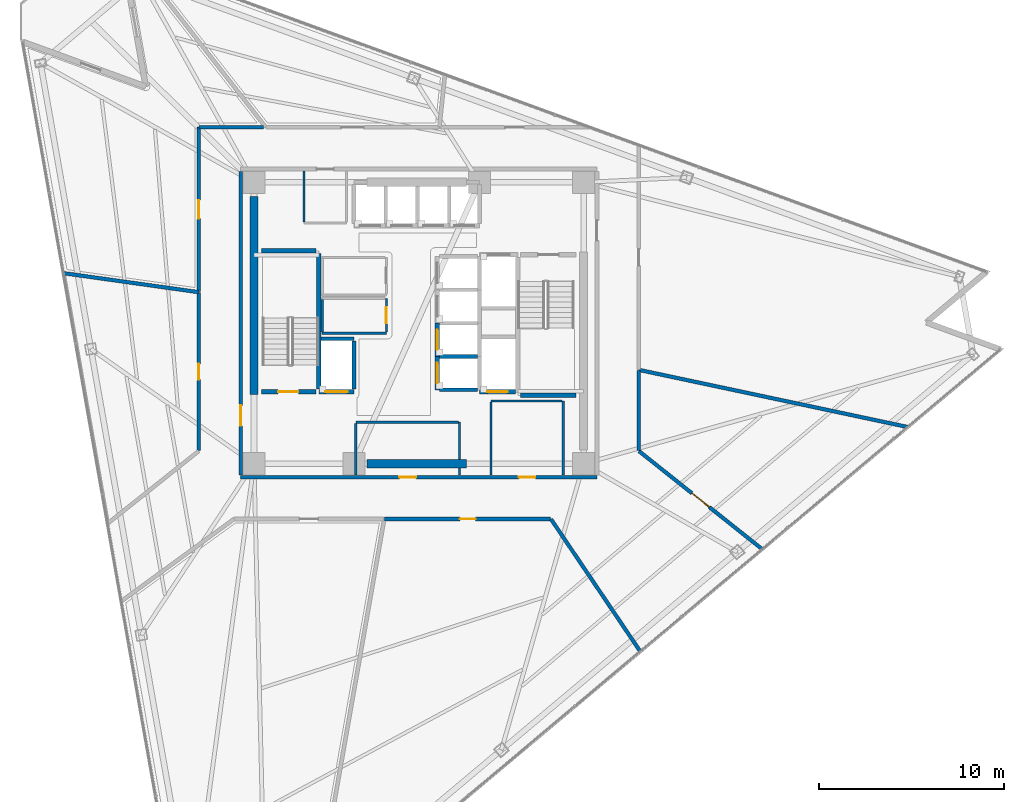
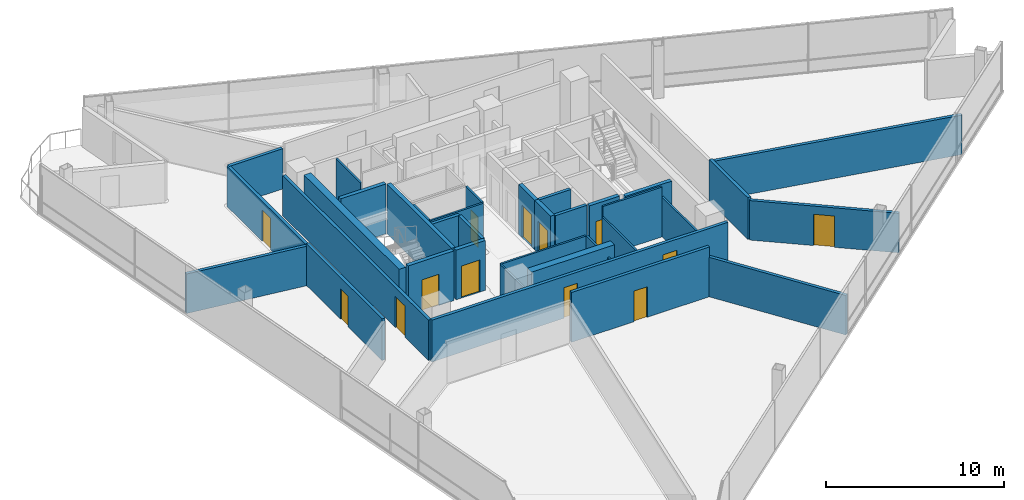
# One storey, part 10 of 16: 36 walls, 13 doors, 13 openings.
"""IFC4 building model written with IfcOpenShell, lengths in metres."""

from ifc_helpers import new_model, si_unit, direction, frame, frame_2d, origin, place, context, subcontext, project, spatial, rectangle, extrude, material, layer, layer_set, type_object, element, fill, save


model = new_model("IFC4")

# Units and contexts
model_context = context("Model", 3, precision=1e-05, world=origin(), true_north=direction((0.0, 1.0)))
body_context = subcontext(model_context, "Body", "Model", "MODEL_VIEW")
ifc_project = project(units=[si_unit("LENGTHUNIT", "METRE"), si_unit("AREAUNIT", "SQUARE_METRE"), si_unit("VOLUMEUNIT", "CUBIC_METRE"), si_unit("PLANEANGLEUNIT", "RADIAN"), si_unit("MASSUNIT", "GRAM", prefix="KILO")], contexts=[model_context])

# Site, building, storey
site_placement = place(None, origin())
site = spatial("IfcSite", under=ifc_project, at=site_placement, CompositionType="ELEMENT")
building_placement = place(site_placement, origin())
building = spatial("IfcBuilding", under=site, at=building_placement, Name="Tharavind Bronze Gate", CompositionType="ELEMENT")
storey_placement = place(building_placement, frame((0.0, 0.0, 170.5)))
storey = spatial("IfcBuildingStorey", under=building, at=storey_placement, Name="L43", CompositionType="ELEMENT", Elevation=170.5)

# Wall, openings, doors
ifc_material_1 = material(Name="Aerated Concrete Block", Category="concrete")
ifc_layer_1 = layer(ifc_material_1, 0.199951171875)
ifc_layer_set_1 = layer_set([ifc_layer_1], Name="Aerated Concrete Block")
wall_type_1 = type_object("IfcWallType", Name="FIRE RATED PARTITION 200", PredefinedType="PARTITIONING", material=ifc_layer_set_1)
wall_1_placement = place(storey_placement, frame((-9.6201171875, -8.320068359375, 0.0), z_axis=(0.0, 0.0, 1.0), x_axis=(1.0, 0.0, 0.0)))
wall_1 = element("IfcWall", 1, at=wall_1_placement, inside=storey, type_object=wall_type_1, Name="L43 south core corridor wall", PredefinedType="PARTITIONING", context=body_context, shape_type="SweptSolid", body=[
    extrude(rectangle(XDim=19.240234375, YDim=0.199951171875, at=frame_2d((9.6201171875, 0.0))), origin(), (0.0, 0.0, 1.0), 2.864990234375),
])
opening_1_placement = place(wall_1_placement, frame((8.570068359375, 0.0, 0.0)))
opening_1 = element("IfcOpeningElement", 2, at=opening_1_placement, cuts=wall_1, Name="Opening ID07", PredefinedType="OPENING", context=body_context, shape_type="SweptSolid", body=[
    extrude(rectangle(XDim=0.89990234375, YDim=2.10009765625, at=frame_2d((0.449951171875, 1.050048828125))), frame((0.0, 0.11009765625, 0.0), z_axis=(0.0, -1.0, 0.0), x_axis=(1.0, 0.0, 0.0)), (0.0, 0.0, 1.0), 0.219951171875),
])
opening_2_placement = place(wall_1_placement, frame((15.02001953125, 0.0, 0.0)))
opening_2 = element("IfcOpeningElement", 3, at=opening_2_placement, cuts=wall_1, Name="Opening ID07", PredefinedType="OPENING", context=body_context, shape_type="SweptSolid", body=[
    extrude(rectangle(XDim=0.89990234375, YDim=2.10009765625, at=frame_2d((0.449951171875, 1.050048828125))), frame((0.0, 0.11009765625, 0.0), z_axis=(0.0, -1.0, 0.0), x_axis=(1.0, 0.0, 0.0)), (0.0, 0.0, 1.0), 0.219951171875),
])
ifc_material_2 = material(Name="Galvanised Fire Steel", Category="steel")
door_type_1 = type_object("IfcDoorType", Name="PLANT AND RISER FIRE DOOR 900X2100", OperationType="SINGLE_SWING_LEFT", PredefinedType="DOOR", material=ifc_material_2)
door_1_placement = place(opening_1_placement, origin())
door_1 = element("IfcDoor", 4, at=door_1_placement, inside=storey, type_object=door_type_1, Name="L43 Core BMS Control Room fire door", OperationType="SINGLE_SWING_LEFT", OverallHeight=2.10009765625, OverallWidth=0.89990234375, PredefinedType="DOOR", context=body_context, shape_type="SweptSolid", body=[
    extrude(rectangle(XDim=0.89990234375, YDim=2.10009765625, at=frame_2d((0.449951171875, 1.050048828125))), frame((0.0, 0.02490234375, 0.0), z_axis=(0.0, -1.0, 0.0), x_axis=(1.0, 0.0, 0.0)), (0.0, 0.0, 1.0), 0.050048828125),
])
fill(opening_1, door_1)
door_2_placement = place(opening_2_placement, origin())
door_2 = element("IfcDoor", 5, at=door_2_placement, inside=storey, type_object=door_type_1, Name="L43 Telecom Metering Room fire door", OperationType="SINGLE_SWING_LEFT", OverallHeight=2.10009765625, OverallWidth=0.89990234375, PredefinedType="DOOR", context=body_context, shape_type="SweptSolid", body=[
    extrude(rectangle(XDim=0.89990234375, YDim=2.10009765625, at=frame_2d((0.449951171875, 1.050048828125))), frame((0.0, 0.02490234375, 0.0), z_axis=(0.0, -1.0, 0.0), x_axis=(1.0, 0.0, 0.0)), (0.0, 0.0, 1.0), 0.050048828125),
])
fill(opening_2, door_2)

# Wall, opening, door
wall_2_placement = place(storey_placement, frame((-9.6201171875, 8.199951171875, 0.0), z_axis=(0.0, 0.0, 1.0), x_axis=(0.0, -1.0, 0.0)))
wall_2 = element("IfcWall", 6, at=wall_2_placement, inside=storey, type_object=wall_type_1, Name="L43 west core corridor wall", PredefinedType="PARTITIONING", context=body_context, shape_type="SweptSolid", body=[
    extrude(rectangle(XDim=16.39990234375, YDim=0.199951171875, at=frame_2d((8.199951171875, 0.0))), origin(), (0.0, 0.0, 1.0), 2.764892578125),
])
opening_3_placement = place(wall_2_placement, frame((12.64990234375, 0.0, 0.0)))
opening_3 = element("IfcOpeningElement", 7, at=opening_3_placement, cuts=wall_2, Name="Opening ID01", PredefinedType="OPENING", context=body_context, shape_type="SweptSolid", body=[
    extrude(rectangle(XDim=1.10009765625, YDim=2.14990234375, at=frame_2d((0.550048828125, 1.074951171875))), frame((0.0, 0.11009765625, 0.0), z_axis=(0.0, -1.0, 0.0), x_axis=(1.0, 0.0, 0.0)), (0.0, 0.0, 1.0), 0.219951171875),
])
ifc_material_3 = material(Name="Fire-Rated Steel", Category="steel")
door_type_2 = type_object("IfcDoorType", Name="STAIR CORE FIRE DOOR 1100X2150", OperationType="SINGLE_SWING_LEFT", PredefinedType="DOOR", material=ifc_material_3)
door_3_placement = place(opening_3_placement, frame((1.10009765625, 0.0, 0.0), z_axis=(0.0, 0.0, 1.0), x_axis=(-1.0, 0.0, 0.0)))
door_3 = element("IfcDoor", 8, at=door_3_placement, inside=storey, type_object=door_type_2, Name="L43 south west stair lobby fire door", OperationType="SINGLE_SWING_LEFT", OverallHeight=2.14990234375, OverallWidth=1.10009765625, PredefinedType="DOOR", context=body_context, shape_type="SweptSolid", body=[
    extrude(rectangle(XDim=1.10009765625, YDim=2.14990234375, at=frame_2d((0.550048828125, 1.074951171875))), frame((0.0, 0.02490234375, 0.0), z_axis=(0.0, -1.0, 0.0), x_axis=(1.0, 0.0, 0.0)), (0.0, 0.0, 1.0), 0.050048828125),
])
fill(opening_3, door_3)

# Wall
wall_3_placement = place(storey_placement, frame((-19.193603515625, 2.697509765625, 0.0), z_axis=(0.0, 0.0, 1.0), x_axis=(0.990266577483, -0.139183711406, 0.0)))
element("IfcWall", 9, at=wall_3_placement, inside=storey, type_object=wall_type_1, Name="L43 Public Restrooms Block partition", PredefinedType="PARTITIONING", context=body_context, shape_type="SweptSolid", body=[
    extrude(rectangle(XDim=7.36376953125, YDim=0.199951171875, at=frame_2d((3.681884765625, 0.0))), origin(), (0.0, 0.0, 1.0), 2.715087890625),
])

# Wall, opening, door
wall_4_placement = place(storey_placement, frame((-11.8798828125, 1.64794921875, 0.0), z_axis=(0.0, 0.0, 1.0), x_axis=(0.0, -1.0, 0.0)))
wall_4 = element("IfcWall", 10, at=wall_4_placement, inside=storey, type_object=wall_type_1, Name="L43 Public Restrooms Block partition", PredefinedType="PARTITIONING", context=body_context, shape_type="SweptSolid", body=[
    extrude(rectangle(XDim=8.539306640625, YDim=0.199951171875, at=frame_2d((4.26953125, 0.0))), origin(), (0.0, 0.0, 1.0), 2.864990234375),
])
opening_4_placement = place(wall_4_placement, frame((3.844970703125, 0.0, 0.0)))
opening_4 = element("IfcOpeningElement", 11, at=opening_4_placement, cuts=wall_4, Name="Opening ID06", PredefinedType="OPENING", context=body_context, shape_type="SweptSolid", body=[
    extrude(rectangle(XDim=0.85009765625, YDim=2.10009765625, at=frame_2d((0.425048828125, 1.050048828125))), frame((0.0, 0.11009765625, 0.0), z_axis=(0.0, -1.0, 0.0), x_axis=(1.0, 0.0, 0.0)), (0.0, 0.0, 1.0), 0.219951171875),
])
ifc_material_4 = material(Name="Moisture-Resistant Timber", Category="wood")
door_type_3 = type_object("IfcDoorType", Name="BATHROOM PRIVACY DOOR 850X2100", OperationType="SINGLE_SWING_RIGHT", PredefinedType="DOOR", material=ifc_material_4)
door_4_placement = place(opening_4_placement, origin())
door_4 = element("IfcDoor", 12, at=door_4_placement, inside=storey, type_object=door_type_3, Name="L43 Public Restrooms Block door", OperationType="SINGLE_SWING_RIGHT", OverallHeight=2.10009765625, OverallWidth=0.85009765625, PredefinedType="DOOR", context=body_context, shape_type="SweptSolid", body=[
    extrude(rectangle(XDim=0.85009765625, YDim=2.10009765625, at=frame_2d((0.425048828125, 1.050048828125))), frame((0.0, 0.02490234375, 0.0), z_axis=(0.0, -1.0, 0.0), x_axis=(1.0, 0.0, 0.0)), (0.0, 0.0, 1.0), 0.050048828125),
])
fill(opening_4, door_4)

wall_5_placement = place(storey_placement, frame((-1.844482421875, -10.580078125, 0.0), z_axis=(0.0, 0.0, 1.0), x_axis=(1.0, 0.0, 0.0)))
wall_5 = element("IfcWall", 13, at=wall_5_placement, inside=storey, type_object=wall_type_1, Name="L43 Public Restrooms Block partition", PredefinedType="PARTITIONING", context=body_context, shape_type="SweptSolid", body=[
    extrude(rectangle(XDim=8.967529296875, YDim=0.199951171875, at=frame_2d((4.48388671875, 0.0))), origin(), (0.0, 0.0, 1.0), 3.419921875),
])
opening_5_placement = place(wall_5_placement, frame((4.05908203125, 0.0, 0.0)))
opening_5 = element("IfcOpeningElement", 14, at=opening_5_placement, cuts=wall_5, Name="Opening ID06", PredefinedType="OPENING", context=body_context, shape_type="SweptSolid", body=[
    extrude(rectangle(XDim=0.85009765625, YDim=2.10009765625, at=frame_2d((0.425048828125, 1.050048828125))), frame((0.0, 0.11009765625, 0.0), z_axis=(0.0, -1.0, 0.0), x_axis=(1.0, 0.0, 0.0)), (0.0, 0.0, 1.0), 0.219951171875),
])
door_5_placement = place(opening_5_placement, origin())
door_5 = element("IfcDoor", 15, at=door_5_placement, inside=storey, type_object=door_type_3, Name="L43 Public Restrooms Block door", OperationType="SINGLE_SWING_RIGHT", OverallHeight=2.10009765625, OverallWidth=0.85009765625, PredefinedType="DOOR", context=body_context, shape_type="SweptSolid", body=[
    extrude(rectangle(XDim=0.85009765625, YDim=2.10009765625, at=frame_2d((0.425048828125, 1.050048828125))), frame((0.0, 0.02490234375, 0.0), z_axis=(0.0, -1.0, 0.0), x_axis=(1.0, 0.0, 0.0)), (0.0, 0.0, 1.0), 0.050048828125),
])
fill(opening_5, door_5)

# Walls
wall_6_placement = place(storey_placement, frame((7.143798828125, -10.591064453125, 0.0), z_axis=(0.0, 0.0, 1.0), x_axis=(0.559187972466, -0.829040898539, 0.0)))
element("IfcWall", 16, at=wall_6_placement, inside=storey, type_object=wall_type_1, Name="L43 Public Restrooms Block partition", PredefinedType="PARTITIONING", context=body_context, shape_type="SweptSolid", body=[
    extrude(rectangle(XDim=8.5966796875, YDim=0.199951171875, at=frame_2d((4.29833984375, 0.0))), origin(), (0.0, 0.0, 1.0), 2.715087890625),
])
wall_7_placement = place(storey_placement, frame((-8.399169921875, 10.580078125, 0.0), z_axis=(0.0, 0.0, 1.0), x_axis=(-1.0, 0.0, 0.0)))
element("IfcWall", 17, at=wall_7_placement, inside=storey, type_object=wall_type_1, Name="L43 Macro Research Office partition", PredefinedType="PARTITIONING", context=body_context, shape_type="SweptSolid", body=[
    extrude(rectangle(XDim=3.480224609375, YDim=0.199951171875, at=frame_2d((1.740234375, 0.0))), origin(), (0.0, 0.0, 1.0), 2.764892578125),
])

# Wall, opening, door
wall_8_placement = place(storey_placement, frame((-11.8798828125, 10.579345703125, 0.0), z_axis=(0.0, 0.0, 1.0), x_axis=(0.0, -1.0, 0.0)))
wall_8 = element("IfcWall", 18, at=wall_8_placement, inside=storey, type_object=wall_type_1, Name="L43 Macro Research Office partition", PredefinedType="PARTITIONING", context=body_context, shape_type="SweptSolid", body=[
    extrude(rectangle(XDim=8.880859375, YDim=0.199951171875, at=frame_2d((4.4404296875, 0.0))), origin(), (0.0, 0.0, 1.0), 2.764892578125),
])
opening_6_placement = place(wall_8_placement, frame((3.94091796875, 0.0, 0.0)))
opening_6 = element("IfcOpeningElement", 19, at=opening_6_placement, cuts=wall_8, Name="Opening ID04", PredefinedType="OPENING", context=body_context, shape_type="SweptSolid", body=[
    extrude(rectangle(XDim=1.0, YDim=2.14990234375, at=frame_2d((0.5, 1.074951171875))), frame((0.0, 0.11009765625, 0.0), z_axis=(0.0, -1.0, 0.0), x_axis=(1.0, 0.0, 0.0)), (0.0, 0.0, 1.0), 0.219951171875),
])
ifc_material_5 = material(Name="Bronze Framed Acoustic Timber", Category="wood")
door_type_4 = type_object("IfcDoorType", Name="OFFICE TENANCY DOOR 1000X2150", OperationType="SINGLE_SWING_RIGHT", PredefinedType="DOOR", material=ifc_material_5)
door_6_placement = place(opening_6_placement, origin())
door_6 = element("IfcDoor", 20, at=door_6_placement, inside=storey, type_object=door_type_4, Name="L43 Macro Research Office door", OperationType="SINGLE_SWING_RIGHT", OverallHeight=2.14990234375, OverallWidth=1.0, PredefinedType="DOOR", context=body_context, shape_type="SweptSolid", body=[
    extrude(rectangle(XDim=1.0, YDim=2.14990234375, at=frame_2d((0.5, 1.074951171875))), frame((0.0, 0.02490234375, 0.0), z_axis=(0.0, -1.0, 0.0), x_axis=(1.0, 0.0, 0.0)), (0.0, 0.0, 1.0), 0.050048828125),
])
fill(opening_6, door_6)

wall_9_placement = place(storey_placement, frame((18.548095703125, -12.21142578125, 0.0), z_axis=(0.0, 0.0, 1.0), x_axis=(-0.782380574332, 0.622800639778, 0.0)))
wall_9 = element("IfcWall", 21, at=wall_9_placement, inside=storey, type_object=wall_type_1, Name="L43 Visitor Reception Lounge partition", PredefinedType="PARTITIONING", context=body_context, shape_type="SweptSolid", body=[
    extrude(rectangle(XDim=8.5107421875, YDim=0.199951171875, at=frame_2d((4.25537109375, 0.0))), origin(), (0.0, 0.0, 1.0), 2.715087890625),
])
opening_7_placement = place(wall_9_placement, frame((3.655029296875, 0.0, 0.0)))
opening_7 = element("IfcOpeningElement", 22, at=opening_7_placement, cuts=wall_9, Name="Opening ID05", PredefinedType="OPENING", context=body_context, shape_type="SweptSolid", body=[
    extrude(rectangle(XDim=1.199951171875, YDim=2.14990234375, at=frame_2d((0.60009765625, 1.074951171875))), frame((0.0, 0.11009765625, 0.0), z_axis=(0.0, -1.0, 0.0), x_axis=(1.0, 0.0, 0.0)), (0.0, 0.0, 1.0), 0.219951171875),
])
ifc_material_6 = material(Name="Acoustic Laminated Glass", Category="glass")
door_type_5 = type_object("IfcDoorType", Name="MEETING ROOM GLAZED DOOR 1200X2150", OperationType="SINGLE_SWING_LEFT", PredefinedType="DOOR", material=ifc_material_6)
door_7_placement = place(opening_7_placement, origin())
door_7 = element("IfcDoor", 23, at=door_7_placement, inside=storey, type_object=door_type_5, Name="L43 Visitor Reception Lounge door", OperationType="SINGLE_SWING_LEFT", OverallHeight=2.14990234375, OverallWidth=1.199951171875, PredefinedType="DOOR", context=body_context, shape_type="SweptSolid", body=[
    extrude(rectangle(XDim=1.199951171875, YDim=2.14990234375, at=frame_2d((0.60009765625, 1.074951171875))), frame((0.0, 0.02490234375, 0.0), z_axis=(0.0, -1.0, 0.0), x_axis=(1.0, 0.0, 0.0)), (0.0, 0.0, 1.0), 0.050048828125),
])
fill(opening_7, door_7)

# Walls
wall_10_placement = place(storey_placement, frame((11.8798828125, -6.891357421875, 0.0), z_axis=(0.0, 0.0, 1.0), x_axis=(0.0, 1.0, 0.0)))
element("IfcWall", 24, at=wall_10_placement, inside=storey, type_object=wall_type_1, Name="L43 Visitor Reception Lounge partition", PredefinedType="PARTITIONING", context=body_context, shape_type="SweptSolid", body=[
    extrude(rectangle(XDim=4.33544921875, YDim=0.199951171875, at=frame_2d((2.167724609375, 0.0))), origin(), (0.0, 0.0, 1.0), 2.864990234375),
])
wall_11_placement = place(storey_placement, frame((11.91015625, -2.531494140625, 0.0), z_axis=(0.0, 0.0, 1.0), x_axis=(0.978146920781, -0.207914889719, 0.0)))
element("IfcWall", 25, at=wall_11_placement, inside=storey, type_object=wall_type_1, Name="L43 Visitor Reception Lounge partition", PredefinedType="PARTITIONING", context=body_context, shape_type="SweptSolid", body=[
    extrude(rectangle(XDim=14.82470703125, YDim=0.199951171875, at=frame_2d((7.412353515625, 0.0))), origin(), (0.0, 0.0, 1.0), 2.715087890625),
])
ifc_material_7 = material(Name="Metal Stud Gypsum Partition", Category="gypsum")
ifc_layer_2 = layer(ifc_material_7, 0.1201171875)
ifc_layer_set_2 = layer_set([ifc_layer_2], Name="Metal Stud Gypsum Partition")
wall_type_2 = type_object("IfcWallType", Name="INTERIOR PARTITION WALL 120", PredefinedType="PARTITIONING", material=ifc_layer_set_2)
wall_12_placement = place(storey_placement, frame((-5.219970703125, -0.550048828125, 0.0), z_axis=(0.0, 0.0, 1.0), x_axis=(1.0, 0.0, 0.0)))
element("IfcWall", 26, at=wall_12_placement, inside=storey, type_object=wall_type_2, Name="L43 Electrical Switch Room partition 1", PredefinedType="PARTITIONING", context=body_context, shape_type="SweptSolid", body=[
    extrude(rectangle(XDim=3.469970703125, YDim=0.1201171875, at=frame_2d((1.73486328125, 0.0))), origin(), (0.0, 0.0, 1.0), 3.419921875),
])

# Wall, opening, door
wall_13_placement = place(storey_placement, frame((-1.75, -0.485107421875, 0.0), z_axis=(0.0, 0.0, 1.0), x_axis=(0.0, 1.0, 0.0)))
wall_13 = element("IfcWall", 27, at=wall_13_placement, inside=storey, type_object=wall_type_2, Name="L43 Electrical Switch Room partition 2", PredefinedType="PARTITIONING", context=body_context, shape_type="SweptSolid", body=[
    extrude(rectangle(XDim=1.8251953125, YDim=0.1201171875, at=frame_2d((0.91259765625, 0.0))), origin(), (0.0, 0.0, 1.0), 3.419921875),
])
opening_8_placement = place(wall_13_placement, frame((0.488037109375, 0.0, 0.0)))
opening_8 = element("IfcOpeningElement", 28, at=opening_8_placement, cuts=wall_13, Name="Opening ID06", PredefinedType="OPENING", context=body_context, shape_type="SweptSolid", body=[
    extrude(rectangle(XDim=0.85009765625, YDim=2.10009765625, at=frame_2d((0.425048828125, 1.050048828125))), frame((0.0, 0.07005859375, 0.0), z_axis=(0.0, -1.0, 0.0), x_axis=(1.0, 0.0, 0.0)), (0.0, 0.0, 1.0), 0.1401171875),
])
door_8_placement = place(opening_8_placement, frame((0.85009765625, 0.0, 0.0), z_axis=(0.0, 0.0, 1.0), x_axis=(-1.0, 0.0, 0.0)))
door_8 = element("IfcDoor", 29, at=door_8_placement, inside=storey, type_object=door_type_3, Name="L43 Electrical Switch Room door", OperationType="SINGLE_SWING_RIGHT", OverallHeight=2.10009765625, OverallWidth=0.85009765625, PredefinedType="DOOR", context=body_context, shape_type="SweptSolid", body=[
    extrude(rectangle(XDim=0.85009765625, YDim=2.10009765625, at=frame_2d((0.425048828125, 1.050048828125))), frame((0.0, 0.02490234375, 0.0), z_axis=(0.0, -1.0, 0.0), x_axis=(1.0, 0.0, 0.0)), (0.0, 0.0, 1.0), 0.050048828125),
])
fill(opening_8, door_8)

# Walls
wall_14_placement = place(storey_placement, frame((-5.219970703125, 1.27490234375, 0.0), z_axis=(0.0, 0.0, 1.0), x_axis=(0.0, -1.0, 0.0)))
element("IfcWall", 30, at=wall_14_placement, inside=storey, type_object=wall_type_2, Name="L43 Electrical Switch Room partition 4", PredefinedType="PARTITIONING", context=body_context, shape_type="SweptSolid", body=[
    extrude(rectangle(XDim=1.760009765625, YDim=0.1201171875, at=frame_2d((0.8798828125, 0.0))), origin(), (0.0, 0.0, 1.0), 3.419921875),
])
wall_15_placement = place(storey_placement, frame((2.199951171875, -8.215087890625, 0.0), z_axis=(0.0, 0.0, 1.0), x_axis=(0.0, 1.0, 0.0)))
element("IfcWall", 31, at=wall_15_placement, inside=storey, type_object=wall_type_2, Name="L43 Core BMS Control Room partition 2", PredefinedType="PARTITIONING", context=body_context, shape_type="SweptSolid", body=[
    extrude(rectangle(XDim=0.385009765625, YDim=0.1201171875, at=frame_2d((0.1923828125, 0.0))), origin(), (0.0, 0.0, 1.0), 2.715087890625),
])
wall_16_placement = place(storey_placement, frame((2.199951171875, -7.3701171875, 0.0), z_axis=(0.0, 0.0, 1.0), x_axis=(0.0, 1.0, 0.0)))
element("IfcWall", 32, at=wall_16_placement, inside=storey, type_object=wall_type_2, Name="L43 Core BMS Control Room partition 2", PredefinedType="PARTITIONING", context=body_context, shape_type="SweptSolid", body=[
    extrude(rectangle(XDim=2.02001953125, YDim=0.1201171875, at=frame_2d((1.010009765625, 0.0))), origin(), (0.0, 0.0, 1.0), 2.715087890625),
])
wall_17_placement = place(storey_placement, frame((2.135009765625, -5.35009765625, 0.0), z_axis=(0.0, 0.0, 1.0), x_axis=(-1.0, 0.0, 0.0)))
element("IfcWall", 33, at=wall_17_placement, inside=storey, type_object=wall_type_2, Name="L43 Core BMS Control Room partition 3", PredefinedType="PARTITIONING", context=body_context, shape_type="SweptSolid", body=[
    extrude(rectangle(XDim=5.534912109375, YDim=0.1201171875, at=frame_2d((2.767578125, 0.0))), origin(), (0.0, 0.0, 1.0), 2.715087890625),
])
wall_18_placement = place(storey_placement, frame((-3.39990234375, -5.4150390625, 0.0), z_axis=(0.0, 0.0, 1.0), x_axis=(0.0, -1.0, 0.0)))
element("IfcWall", 34, at=wall_18_placement, inside=storey, type_object=wall_type_2, Name="L43 Core BMS Control Room partition 4", PredefinedType="PARTITIONING", context=body_context, shape_type="SweptSolid", body=[
    extrude(rectangle(XDim=2.800048828125, YDim=0.1201171875, at=frame_2d((1.39990234375, 0.0))), origin(), (0.0, 0.0, 1.0), 2.715087890625),
])
wall_19_placement = place(storey_placement, frame((-6.199951171875, 8.215087890625, 0.0), z_axis=(0.0, 0.0, 1.0), x_axis=(0.0, -1.0, 0.0)))
element("IfcWall", 35, at=wall_19_placement, inside=storey, type_object=wall_type_2, Name="L43 Electrical Switch Cupboard partition 4", PredefinedType="PARTITIONING", context=body_context, shape_type="SweptSolid", body=[
    extrude(rectangle(XDim=2.75, YDim=0.1201171875, at=frame_2d((1.375, 0.0))), origin(), (0.0, 0.0, 1.0), 2.715087890625),
])
wall_20_placement = place(storey_placement, frame((7.800048828125, -8.215087890625, 0.0), z_axis=(0.0, 0.0, 1.0), x_axis=(0.0, 1.0, 0.0)))
element("IfcWall", 36, at=wall_20_placement, inside=storey, type_object=wall_type_2, Name="L43 Telecom Metering Room partition 2", PredefinedType="PARTITIONING", context=body_context, shape_type="SweptSolid", body=[
    extrude(rectangle(XDim=4.01513671875, YDim=0.1201171875, at=frame_2d((2.007568359375, 0.0))), origin(), (0.0, 0.0, 1.0), 2.715087890625),
])
wall_21_placement = place(storey_placement, frame((7.735107421875, -4.199951171875, 0.0), z_axis=(0.0, 0.0, 1.0), x_axis=(-1.0, 0.0, 0.0)))
element("IfcWall", 37, at=wall_21_placement, inside=storey, type_object=wall_type_2, Name="L43 Telecom Metering Room partition 3", PredefinedType="PARTITIONING", context=body_context, shape_type="SweptSolid", body=[
    extrude(rectangle(XDim=3.835205078125, YDim=0.1201171875, at=frame_2d((1.91748046875, 0.0))), origin(), (0.0, 0.0, 1.0), 3.419921875),
])
wall_22_placement = place(storey_placement, frame((3.89990234375, -4.264892578125, 0.0), z_axis=(0.0, 0.0, 1.0), x_axis=(0.0, -1.0, 0.0)))
element("IfcWall", 38, at=wall_22_placement, inside=storey, type_object=wall_type_2, Name="L43 Telecom Metering Room partition 4", PredefinedType="PARTITIONING", context=body_context, shape_type="SweptSolid", body=[
    extrude(rectangle(XDim=3.9501953125, YDim=0.1201171875, at=frame_2d((1.97509765625, 0.0))), origin(), (0.0, 0.0, 1.0), 2.715087890625),
])
ifc_material_8 = material(Name="Concrete C50/60", Category="concrete")
ifc_layer_3 = layer(ifc_material_8, 0.25)
ifc_layer_set_3 = layer_set([ifc_layer_3], Name="Concrete C50/60")
wall_type_3 = type_object("IfcWallType", Name="RC CORE SHEAR WALL 250", PredefinedType="SHEAR", material=ifc_layer_set_3)
wall_23_placement = place(storey_placement, frame((-5.39990234375, -3.550048828125, 0.0), z_axis=(0.0, 0.0, 1.0), x_axis=(0.0, 1.0, 0.0)))
element("IfcWall", 39, at=wall_23_placement, inside=storey, type_object=wall_type_3, Name="L43 ST1 shaft east wall", PredefinedType="SHEAR", context=body_context, shape_type="SweptSolid", body=[
    extrude(rectangle(XDim=7.300048828125, YDim=0.25, at=frame_2d((3.64990234375, 0.0))), origin(), (0.0, 0.0, 1.0), 3.419921875),
])

# Wall, opening, door
wall_24_placement = place(storey_placement, frame((-8.5, -3.699951171875, 0.0), z_axis=(0.0, 0.0, 1.0), x_axis=(1.0, 0.0, 0.0)))
wall_24 = element("IfcWall", 40, at=wall_24_placement, inside=storey, type_object=wall_type_3, Name="L43 ST1 shaft south wall", PredefinedType="SHEAR", context=body_context, shape_type="SweptSolid", body=[
    extrude(rectangle(XDim=2.949951171875, YDim=0.25, at=frame_2d((1.47509765625, 0.0))), origin(), (0.0, 0.0, 1.0), 3.419921875),
])
opening_9_placement = place(wall_24_placement, frame((0.89990234375, 0.0, 0.0)))
opening_9 = element("IfcOpeningElement", 41, at=opening_9_placement, cuts=wall_24, Name="Opening ID01", PredefinedType="OPENING", context=body_context, shape_type="SweptSolid", body=[
    extrude(rectangle(XDim=1.10009765625, YDim=2.14990234375, at=frame_2d((0.550048828125, 1.074951171875))), frame((0.0, 0.135, 0.0), z_axis=(0.0, -1.0, 0.0), x_axis=(1.0, 0.0, 0.0)), (0.0, 0.0, 1.0), 0.27),
])
door_9_placement = place(opening_9_placement, origin())
door_9 = element("IfcDoor", 42, at=door_9_placement, inside=storey, type_object=door_type_2, Name="L43 exit stair ST1 fire door", OperationType="SINGLE_SWING_LEFT", OverallHeight=2.14990234375, OverallWidth=1.10009765625, PredefinedType="DOOR", context=body_context, shape_type="SweptSolid", body=[
    extrude(rectangle(XDim=1.10009765625, YDim=2.14990234375, at=frame_2d((0.550048828125, 1.074951171875))), frame((0.0, 0.02490234375, 0.0), z_axis=(0.0, -1.0, 0.0), x_axis=(1.0, 0.0, 0.0)), (0.0, 0.0, 1.0), 0.050048828125),
])
fill(opening_9, door_9)

# Walls
wall_25_placement = place(storey_placement, frame((-8.5, 3.89990234375, 0.0), z_axis=(0.0, 0.0, 1.0), x_axis=(1.0, 0.0, 0.0)))
element("IfcWall", 43, at=wall_25_placement, inside=storey, type_object=wall_type_3, Name="L43 ST1 shaft north wall", PredefinedType="SHEAR", context=body_context, shape_type="SweptSolid", body=[
    extrude(rectangle(XDim=2.949951171875, YDim=0.25, at=frame_2d((1.47509765625, 0.0))), origin(), (0.0, 0.0, 1.0), 3.419921875),
])
wall_26_placement = place(storey_placement, frame((5.5, -3.89990234375, 0.0), z_axis=(0.0, 0.0, 1.0), x_axis=(1.0, 0.0, 0.0)))
element("IfcWall", 44, at=wall_26_placement, inside=storey, type_object=wall_type_3, Name="L43 ST2 shaft south wall", PredefinedType="SHEAR", context=body_context, shape_type="SweptSolid", body=[
    extrude(rectangle(XDim=3.0, YDim=0.25, at=frame_2d((1.5, 0.0))), origin(), (0.0, 0.0, 1.0), 3.419921875),
])

# Wall, opening, door
wall_27_placement = place(storey_placement, frame((1.0, -3.60009765625, 0.0), z_axis=(0.0, 0.0, 1.0), x_axis=(0.0, 1.0, 0.0)))
wall_27 = element("IfcWall", 45, at=wall_27_placement, inside=storey, type_object=wall_type_3, Name="L43 lift PL9 shaft front wall", PredefinedType="SHEAR", context=body_context, shape_type="SweptSolid", body=[
    extrude(rectangle(XDim=1.800048828125, YDim=0.25, at=frame_2d((0.89990234375, 0.0))), origin(), (0.0, 0.0, 1.0), 3.419921875),
])
opening_10_placement = place(wall_27_placement, frame((0.35009765625, 0.0, 0.0)))
opening_10 = element("IfcOpeningElement", 46, at=opening_10_placement, cuts=wall_27, Name="Opening LD01", PredefinedType="OPENING", context=body_context, shape_type="SweptSolid", body=[
    extrude(rectangle(XDim=1.10009765625, YDim=2.199951171875, at=frame_2d((0.550048828125, 1.10009765625))), frame((0.0, 0.135, 0.0), z_axis=(0.0, -1.0, 0.0), x_axis=(1.0, 0.0, 0.0)), (0.0, 0.0, 1.0), 0.27),
])
ifc_material_9 = material(Name="Brushed Bronze Stainless Steel", Category="steel")
door_type_6 = type_object("IfcDoorType", Name="LIFT LANDING SLIDING DOOR 1100X2200", OperationType="SLIDING_TO_LEFT", PredefinedType="DOOR", material=ifc_material_9)
door_10_placement = place(opening_10_placement, origin())
door_10 = element("IfcDoor", 47, at=door_10_placement, inside=storey, type_object=door_type_6, Name="L43 lift PL9 sliding landing door", OperationType="SLIDING_TO_LEFT", OverallHeight=2.199951171875, OverallWidth=1.10009765625, PredefinedType="DOOR", context=body_context, shape_type="SweptSolid", body=[
    extrude(rectangle(XDim=1.10009765625, YDim=2.199951171875, at=frame_2d((0.550048828125, 1.10009765625))), frame((0.0, 0.02490234375, 0.0), z_axis=(0.0, -1.0, 0.0), x_axis=(1.0, 0.0, 0.0)), (0.0, 0.0, 1.0), 0.050048828125),
])
fill(opening_10, door_10)

wall_28_placement = place(storey_placement, frame((1.0, -1.800048828125, 0.0), z_axis=(0.0, 0.0, 1.0), x_axis=(0.0, 1.0, 0.0)))
wall_28 = element("IfcWall", 48, at=wall_28_placement, inside=storey, type_object=wall_type_3, Name="L43 lift PL10 shaft front wall", PredefinedType="SHEAR", context=body_context, shape_type="SweptSolid", body=[
    extrude(rectangle(XDim=1.800048828125, YDim=0.25, at=frame_2d((0.89990234375, 0.0))), origin(), (0.0, 0.0, 1.0), 3.419921875),
])
opening_11_placement = place(wall_28_placement, frame((0.35009765625, 0.0, 0.0)))
opening_11 = element("IfcOpeningElement", 49, at=opening_11_placement, cuts=wall_28, Name="Opening LD01", PredefinedType="OPENING", context=body_context, shape_type="SweptSolid", body=[
    extrude(rectangle(XDim=1.10009765625, YDim=2.199951171875, at=frame_2d((0.550048828125, 1.10009765625))), frame((0.0, 0.135, 0.0), z_axis=(0.0, -1.0, 0.0), x_axis=(1.0, 0.0, 0.0)), (0.0, 0.0, 1.0), 0.27),
])
door_11_placement = place(opening_11_placement, origin())
door_11 = element("IfcDoor", 50, at=door_11_placement, inside=storey, type_object=door_type_6, Name="L43 lift PL10 sliding landing door", OperationType="SLIDING_TO_LEFT", OverallHeight=2.199951171875, OverallWidth=1.10009765625, PredefinedType="DOOR", context=body_context, shape_type="SweptSolid", body=[
    extrude(rectangle(XDim=1.10009765625, YDim=2.199951171875, at=frame_2d((0.550048828125, 1.10009765625))), frame((0.0, 0.02490234375, 0.0), z_axis=(0.0, -1.0, 0.0), x_axis=(1.0, 0.0, 0.0)), (0.0, 0.0, 1.0), 0.050048828125),
])
fill(opening_11, door_11)

wall_29_placement = place(storey_placement, frame((-5.39990234375, -3.699951171875, 0.0), z_axis=(0.0, 0.0, 1.0), x_axis=(1.0, 0.0, 0.0)))
wall_29 = element("IfcWall", 51, at=wall_29_placement, inside=storey, type_object=wall_type_3, Name="L43 lift FFL1 shaft front wall", PredefinedType="SHEAR", context=body_context, shape_type="SweptSolid", body=[
    extrude(rectangle(XDim=1.89990234375, YDim=0.25, at=frame_2d((0.949951171875, 0.0))), origin(), (0.0, 0.0, 1.0), 3.419921875),
])
opening_12_placement = place(wall_29_placement, frame((0.35009765625, 0.0, 0.0)))
opening_12 = element("IfcOpeningElement", 52, at=opening_12_placement, cuts=wall_29, Name="Opening LD02", PredefinedType="OPENING", context=body_context, shape_type="SweptSolid", body=[
    extrude(rectangle(XDim=1.199951171875, YDim=2.199951171875, at=frame_2d((0.60009765625, 1.10009765625))), frame((0.0, 0.135, 0.0), z_axis=(0.0, -1.0, 0.0), x_axis=(1.0, 0.0, 0.0)), (0.0, 0.0, 1.0), 0.27),
])
ifc_material_10 = material(Name="Brushed Stainless Steel", Category="steel")
door_type_7 = type_object("IfcDoorType", Name="FIREFIGHTING LIFT LANDING DOOR 1200X2200", OperationType="SLIDING_TO_RIGHT", PredefinedType="DOOR", material=ifc_material_10)
door_12_placement = place(opening_12_placement, origin())
door_12 = element("IfcDoor", 53, at=door_12_placement, inside=storey, type_object=door_type_7, Name="L43 lift FFL1 sliding landing door", OperationType="SLIDING_TO_RIGHT", OverallHeight=2.199951171875, OverallWidth=1.199951171875, PredefinedType="DOOR", context=body_context, shape_type="SweptSolid", body=[
    extrude(rectangle(XDim=1.199951171875, YDim=2.199951171875, at=frame_2d((0.60009765625, 1.10009765625))), frame((0.0, 0.02490234375, 0.0), z_axis=(0.0, -1.0, 0.0), x_axis=(1.0, 0.0, 0.0)), (0.0, 0.0, 1.0), 0.050048828125),
])
fill(opening_12, door_12)

wall_30_placement = place(storey_placement, frame((3.280029296875, -3.699951171875, 0.0), z_axis=(0.0, 0.0, 1.0), x_axis=(1.0, 0.0, 0.0)))
wall_30 = element("IfcWall", 54, at=wall_30_placement, inside=storey, type_object=wall_type_3, Name="L43 lift SVL1 shaft front wall", PredefinedType="SHEAR", context=body_context, shape_type="SweptSolid", body=[
    extrude(rectangle(XDim=1.93994140625, YDim=0.25, at=frame_2d((0.969970703125, 0.0))), origin(), (0.0, 0.0, 1.0), 3.419921875),
])
opening_13_placement = place(wall_30_placement, frame((0.419921875, 0.0, 0.0)))
opening_13 = element("IfcOpeningElement", 55, at=opening_13_placement, cuts=wall_30, Name="Opening LD01", PredefinedType="OPENING", context=body_context, shape_type="SweptSolid", body=[
    extrude(rectangle(XDim=1.10009765625, YDim=2.199951171875, at=frame_2d((0.550048828125, 1.10009765625))), frame((0.0, 0.135, 0.0), z_axis=(0.0, -1.0, 0.0), x_axis=(1.0, 0.0, 0.0)), (0.0, 0.0, 1.0), 0.27),
])
door_13_placement = place(opening_13_placement, origin())
door_13 = element("IfcDoor", 56, at=door_13_placement, inside=storey, type_object=door_type_6, Name="L43 lift SVL1 sliding landing door", OperationType="SLIDING_TO_LEFT", OverallHeight=2.199951171875, OverallWidth=1.10009765625, PredefinedType="DOOR", context=body_context, shape_type="SweptSolid", body=[
    extrude(rectangle(XDim=1.10009765625, YDim=2.199951171875, at=frame_2d((0.550048828125, 1.10009765625))), frame((0.0, 0.02490234375, 0.0), z_axis=(0.0, -1.0, 0.0), x_axis=(1.0, 0.0, 0.0)), (0.0, 0.0, 1.0), 0.050048828125),
])
fill(opening_13, door_13)

# Walls
ifc_material_11 = material(Name="Concrete C60/75", Category="concrete")
ifc_layer_4 = layer(ifc_material_11, 0.449951171875)
ifc_layer_set_4 = layer_set([ifc_layer_4], Name="Concrete C60/75")
wall_type_4 = type_object("IfcWallType", Name="RC CORE SHEAR WALL 450", PredefinedType="SHEAR", material=ifc_layer_set_4)
wall_31_placement = place(storey_placement, frame((-2.800048828125, -7.60009765625, 0.0), z_axis=(0.0, 0.0, 1.0), x_axis=(1.0, 0.0, 0.0)))
element("IfcWall", 57, at=wall_31_placement, inside=storey, type_object=wall_type_4, Name="L43 south core shear wall", PredefinedType="SHEAR", context=body_context, shape_type="SweptSolid", body=[
    extrude(rectangle(XDim=5.380126953125, YDim=0.449951171875, at=frame_2d((2.68994140625, 0.0))), origin(), (0.0, 0.0, 1.0), 3.419921875),
])
wall_32_placement = place(storey_placement, frame((-8.89990234375, -3.85009765625, 0.0), z_axis=(0.0, 0.0, 1.0), x_axis=(0.0, 1.0, 0.0)))
element("IfcWall", 58, at=wall_32_placement, inside=storey, type_object=wall_type_4, Name="L43 west core shear wall", PredefinedType="SHEAR", context=body_context, shape_type="SweptSolid", body=[
    extrude(rectangle(XDim=10.7001953125, YDim=0.449951171875, at=frame_2d((5.35009765625, 0.0))), origin(), (0.0, 0.0, 1.0), 3.419921875),
])
ifc_material_12 = material(Name="Concrete C40/50", Category="concrete")
ifc_layer_5 = layer(ifc_material_12, 0.199951171875)
ifc_layer_set_5 = layer_set([ifc_layer_5], Name="Concrete C40/50")
wall_type_5 = type_object("IfcWallType", Name="SHAFT ENCLOSURE WALL 200", PredefinedType="PARTITIONING", material=ifc_layer_set_5)
for number, where, z_axis, x_axis, name in (
    (59, (1.1298828125, -3.60009765625, 0.0), (0.0, 0.0, 1.0), (1.0, 0.0, 0.0), "L43 lift PL9 shaft S enclosure wall"),
    (60, (1.1298828125, -1.800048828125, 0.0), (0.0, 0.0, 1.0), (1.0, 0.0, 0.0), "L43 lift PL9 shaft N enclosure wall"),
):
    element("IfcWall", number, at=place(storey_placement, frame(where, z_axis=z_axis, x_axis=x_axis)), inside=storey, type_object=wall_type_5, Name=name, PredefinedType="PARTITIONING", context=body_context, shape_type="SweptSolid", body=[
        extrude(rectangle(XDim=2.045166015625, YDim=0.199951171875, at=frame_2d((1.0224609375, 0.0))), origin(), (0.0, 0.0, 1.0), 3.419921875),
    ])
wall_33_placement = place(storey_placement, frame((-5.27001953125, -0.85009765625, 0.0), z_axis=(0.0, 0.0, 1.0), x_axis=(1.0, 0.0, 0.0)))
element("IfcWall", 61, at=wall_33_placement, inside=storey, type_object=wall_type_5, Name="L43 lift FFL1 shaft N enclosure wall", PredefinedType="PARTITIONING", context=body_context, shape_type="SweptSolid", body=[
    extrude(rectangle(XDim=1.77001953125, YDim=0.199951171875, at=frame_2d((0.885009765625, 0.0))), origin(), (0.0, 0.0, 1.0), 3.419921875),
])
wall_34_placement = place(storey_placement, frame((-3.5, -3.570068359375, 0.0), z_axis=(0.0, 0.0, 1.0), x_axis=(0.0, 1.0, 0.0)))
element("IfcWall", 62, at=wall_34_placement, inside=storey, type_object=wall_type_5, Name="L43 lift FFL1 shaft E enclosure wall", PredefinedType="PARTITIONING", context=body_context, shape_type="SweptSolid", body=[
    extrude(rectangle(XDim=2.614990234375, YDim=0.199951171875, at=frame_2d((1.3076171875, 0.0))), origin(), (0.0, 0.0, 1.0), 3.419921875),
])

save(model, "model.ifc")
